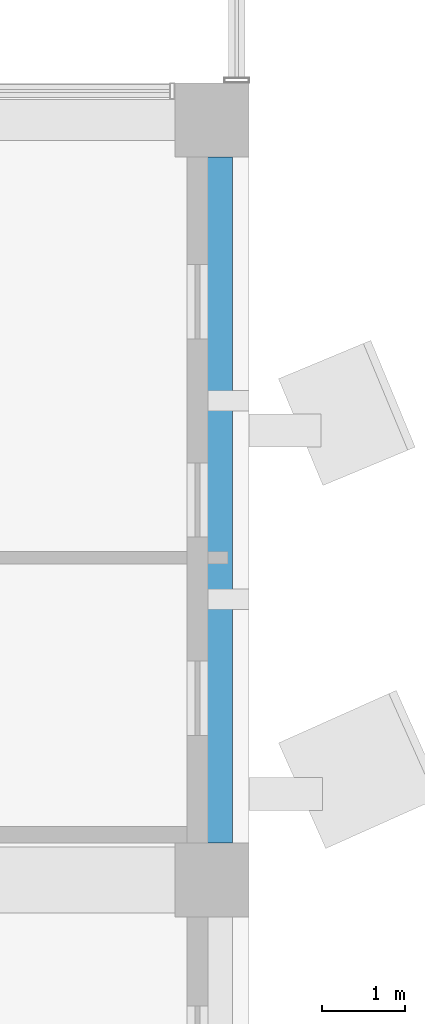
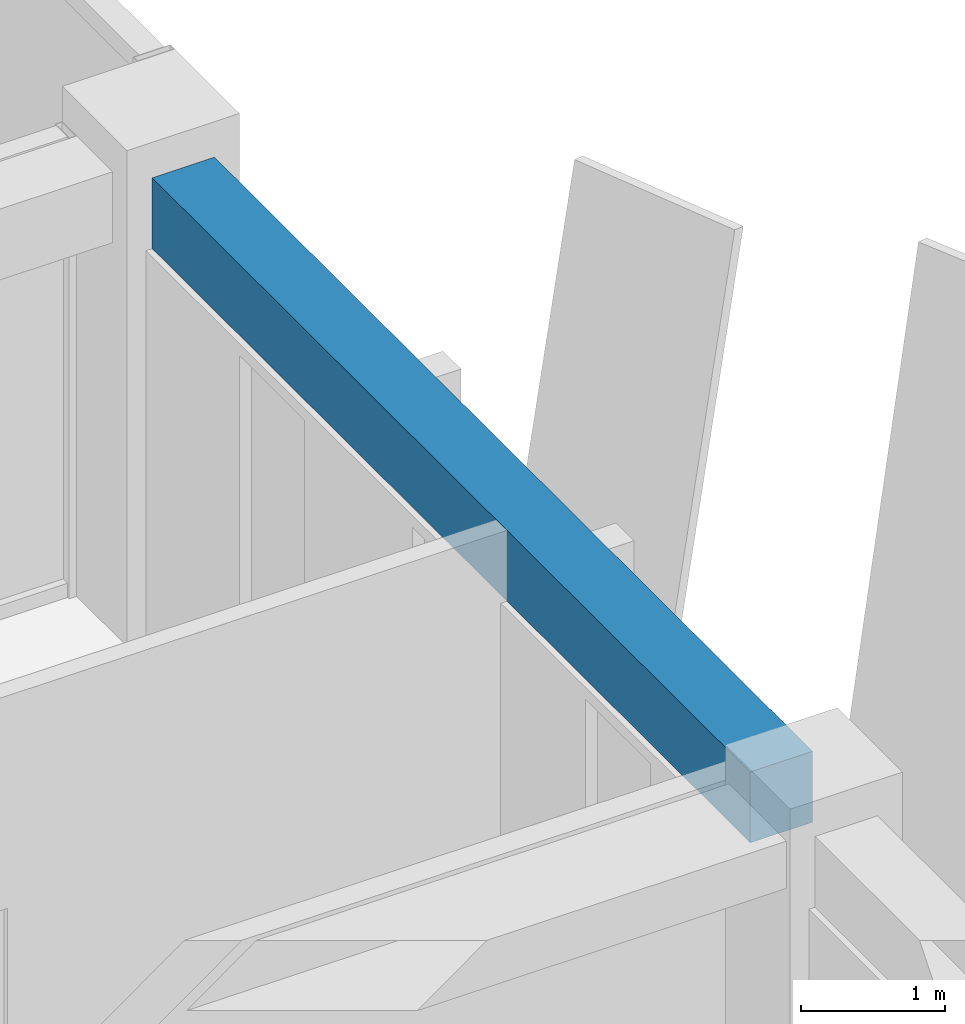
# One storey, part 15 of 36: 1 beam.
"""IFC4 building model written with IfcOpenShell, lengths in metres."""

from ifc_helpers import new_model, si_unit, direction, frame, origin, origin_2d, place, context, subcontext, project, spatial, rectangle, extrude, material, material_profile, profile_set, type_object, element, save


model = new_model("IFC4")

# Units and contexts
model_context = context("Model", 3, precision=1e-05, world=origin(), true_north=direction((0.0, 1.0)))
body_context = subcontext(model_context, "Body", "Model", "MODEL_VIEW")
ifc_project = project(units=[si_unit("LENGTHUNIT", "METRE"), si_unit("AREAUNIT", "SQUARE_METRE"), si_unit("VOLUMEUNIT", "CUBIC_METRE"), si_unit("PLANEANGLEUNIT", "RADIAN"), si_unit("MASSUNIT", "GRAM", prefix="KILO")], contexts=[model_context])

# Site, building, storey
site_placement = place(None, origin())
site = spatial("IfcSite", under=ifc_project, at=site_placement, CompositionType="ELEMENT")
building_placement = place(site_placement, origin())
building = spatial("IfcBuilding", under=site, at=building_placement, Name="Nzadi Deep Aquarium and Research Tower", CompositionType="ELEMENT")
storey_placement = place(building_placement, frame((0.0, 0.0, 40.300048828125)))
storey = spatial("IfcBuildingStorey", under=building, at=storey_placement, Name="L07", CompositionType="ELEMENT", Elevation=40.300048828125)

# Beam
ifc_material = material(Name="Concrete C35/45", Category="concrete")
ifc_material_profile = material_profile(ifc_material, rectangle(XDim=0.5, YDim=0.60009765625, at=origin_2d()))
ifc_profile_set = profile_set([ifc_material_profile], Name="Concrete C35/45")
beam_type = type_object("IfcBeamType", Name="RC 500x600", PredefinedType="BEAM", material=ifc_profile_set)
beam_placement = place(storey_placement, frame((48.0, 9.64990234375, 3.599853515625), z_axis=(0.0, 1.0, 0.0), x_axis=(-1.0, 0.0, 0.0)))
element("IfcBeam", 1, at=beam_placement, inside=storey, type_object=beam_type, Name="B-Z1-L07-CF-2-1", PredefinedType="BEAM", context=body_context, shape_type="SweptSolid", body=[
    extrude(rectangle(XDim=0.5, YDim=0.60009765625, at=origin_2d()), origin(), (0.0, 0.0, 1.0), 8.300048828125),
])

save(model, "model.ifc")
